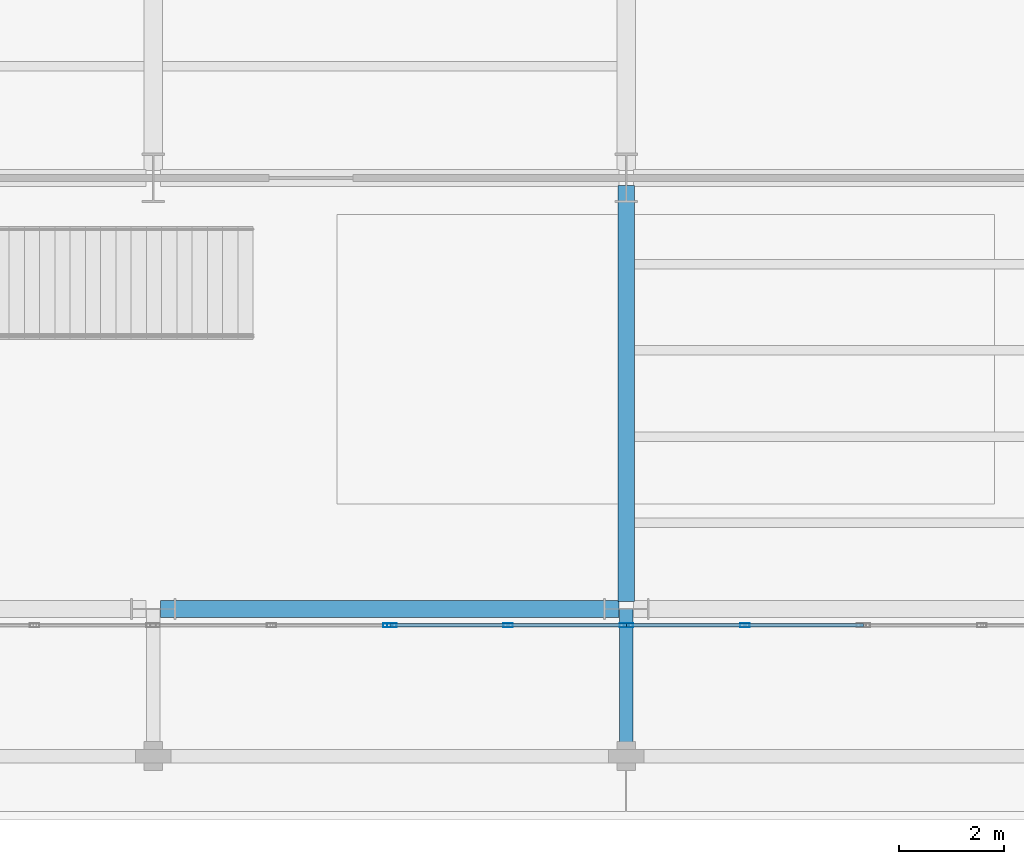
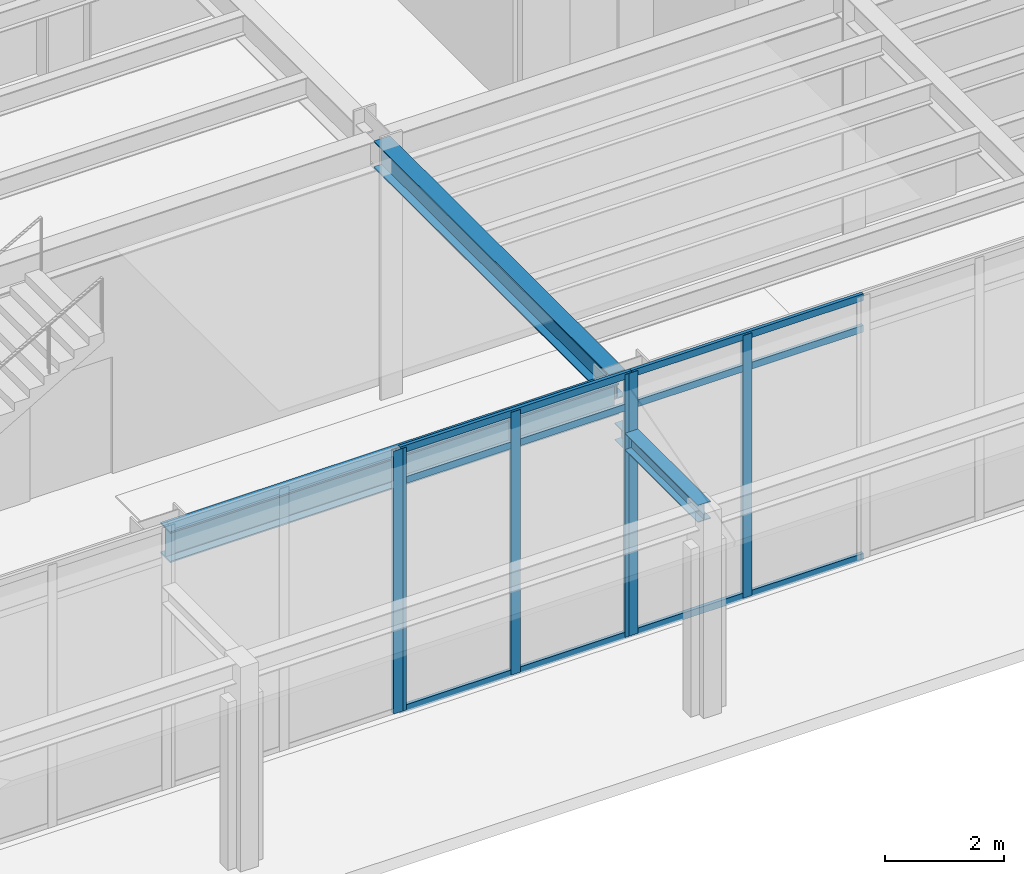
# One storey, part 26 of 94: 12 members, 3 beams, 3 elements without a shape of their own.
"""IFC4 building model written with IfcOpenShell, lengths in metres."""

from ifc_helpers import new_model, si_unit, direction, frame, origin, origin_2d, place, context, subcontext, project, spatial, hollow_rectangle, i_section, extrude, material, layer, layer_set, material_profile, profile_set, type_object, element, aggregate, save


model = new_model("IFC4")

# Units and contexts
model_context = context("Model", 3, precision=1e-05, world=origin(), true_north=direction((0.0, 1.0)))
body_context = subcontext(model_context, "Body", "Model", "MODEL_VIEW")
ifc_project = project(units=[si_unit("LENGTHUNIT", "METRE"), si_unit("AREAUNIT", "SQUARE_METRE"), si_unit("VOLUMEUNIT", "CUBIC_METRE"), si_unit("PLANEANGLEUNIT", "RADIAN"), si_unit("MASSUNIT", "GRAM", prefix="KILO")], contexts=[model_context])

# Site, building, storey
site_placement = place(None, origin())
site = spatial("IfcSite", under=ifc_project, at=site_placement, CompositionType="ELEMENT")
building_placement = place(site_placement, origin())
building = spatial("IfcBuilding", under=site, at=building_placement, Name="Sollismere Congress Hotel", CompositionType="ELEMENT")
storey_placement = place(building_placement, origin())
storey = spatial("IfcBuildingStorey", under=building, at=storey_placement, Name="L00", CompositionType="ELEMENT", Elevation=0.0)

# Beams
ifc_material_1 = material(Name="Steel ASTM A992 Grade 50", Category="steel")
ifc_material_profile_1 = material_profile(ifc_material_1, i_section(OverallWidth=0.31494140625, OverallDepth=0.551025390625, WebThickness=0.01513671875, FlangeThickness=0.0244140625, at=origin_2d()), Name="W21X122")
ifc_profile_set_1 = profile_set([ifc_material_profile_1], Name="Steel ASTM A992 Grade 50")
beam_type_1 = type_object("IfcBeamType", Name="BM-G21H", PredefinedType="BEAM", material=ifc_profile_set_1)
beam_1_placement = place(storey_placement, frame((85.0, 0.139892578125, 4.839599609375), z_axis=(0.0, 1.0, 0.0), x_axis=(-1.0, 0.0, 0.0)))
element("IfcBeam", 1, at=beam_1_placement, inside=storey, type_object=beam_type_1, Name="Beam BM-L00-1263", PredefinedType="BEAM", context=body_context, shape_type="SweptSolid", body=[
    extrude(i_section(OverallWidth=0.31494140625, OverallDepth=0.551025390625, WebThickness=0.01513671875, FlangeThickness=0.0244140625, at=origin_2d()), origin(), (0.0, 0.0, 1.0), 7.920166015625),
])
ifc_material_profile_2 = material_profile(ifc_material_1, i_section(OverallWidth=0.25390625, OverallDepth=0.35595703125, WebThickness=0.010498046875, FlangeThickness=0.018310546875, at=origin_2d()), Name="W14X68")
ifc_profile_set_2 = profile_set([ifc_material_profile_2], Name="Steel ASTM A992 Grade 50")
beam_type_2 = type_object("IfcBeamType", Name="BM-LN14I", PredefinedType="LINTEL", material=ifc_profile_set_2)
beam_2_placement = place(storey_placement, frame((85.0, -2.800048828125, 4.02197265625), z_axis=(0.0, 1.0, 0.0), x_axis=(-1.0, 0.0, 0.0)))
element("IfcBeam", 2, at=beam_2_placement, inside=storey, type_object=beam_type_2, Name="Beam BM-L00-3849", PredefinedType="LINTEL", context=body_context, shape_type="SweptSolid", body=[
    extrude(i_section(OverallWidth=0.25390625, OverallDepth=0.35595703125, WebThickness=0.010498046875, FlangeThickness=0.018310546875, at=origin_2d()), origin(), (0.0, 0.0, 1.0), 2.800048828125),
])
ifc_material_profile_3 = material_profile(ifc_material_1, i_section(OverallWidth=0.330078125, OverallDepth=0.635009765625, WebThickness=0.017822265625, FlangeThickness=0.031005859375, at=origin_2d()), Name="W24X162")
ifc_profile_set_3 = profile_set([ifc_material_profile_3], Name="Steel ASTM A992 Grade 50")
beam_type_3 = type_object("IfcBeamType", Name="BM-SP24E", PredefinedType="SPANDREL", material=ifc_profile_set_3)
beam_3_placement = place(storey_placement, frame((76.139892578125, 0.0, 4.797607421875), z_axis=(1.0, 0.0, 0.0), x_axis=(0.0, 1.0, 0.0)))
element("IfcBeam", 3, at=beam_3_placement, inside=storey, type_object=beam_type_3, Name="Beam BM-L00-1129", PredefinedType="SPANDREL", context=body_context, shape_type="SweptSolid", body=[
    extrude(i_section(OverallWidth=0.330078125, OverallDepth=0.635009765625, WebThickness=0.017822265625, FlangeThickness=0.031005859375, at=origin_2d()), origin(), (0.0, 0.0, 1.0), 8.72021484375),
])

# Curtain wall, member
ifc_material_2 = material(Name="Anodized Bronze Curtain Wall & Low-E Triple Glazing", Category="glass")
ifc_layer = layer(ifc_material_2, 0.199951171875, Name="Anodized Bronze Curtain Wall & Low-E Triple Glazing")
ifc_layer_set = layer_set([ifc_layer], Name="Anodized Bronze Curtain Wall & Low-E Triple Glazing")
curtain_wall_type = type_object("IfcCurtainWallType", Name="CW-GLZ36", PredefinedType="USERDEFINED", material=ifc_layer_set)
curtain_wall_1_placement = place(storey_placement, origin())
curtain_wall_1 = element("IfcCurtainWall", 4, at=curtain_wall_1_placement, inside=storey, type_object=curtain_wall_type, Name="Unitised curtain wall CW-L00-149", ObjectType="UNITISED CURTAIN WALL", PredefinedType="USERDEFINED")
ifc_material_3 = material(Name="Anodized Aluminum 6063-T6", Category="aluminium")
ifc_material_profile_4 = material_profile(ifc_material_3, hollow_rectangle(XDim=0.074951171875, YDim=0.179931640625, WallThickness=0.0048828125, at=origin_2d()), Name="ALU180X75X5")
ifc_profile_set_4 = profile_set([ifc_material_profile_4], Name="Anodized Aluminum 6063-T6")
member_type_1 = type_object("IfcMemberType", Name="ML-CW180", PredefinedType="MULLION", material=ifc_profile_set_4)
member_1_placement = place(storey_placement, frame((80.4619140625, -0.31005859375, 0.0), z_axis=(0.0, 0.0, 1.0), x_axis=(0.0, 1.0, 0.0)))
member_1 = element("IfcMember", 5, at=member_1_placement, type_object=member_type_1, Name="CWL-CW-L00-149-ML03", PredefinedType="MULLION", context=body_context, shape_type="SweptSolid", body=[
    extrude(hollow_rectangle(XDim=0.074951171875, YDim=0.179931640625, WallThickness=0.0048828125, at=origin_2d()), origin(), (0.0, 0.0, 1.0), 5.39990234375),
])
aggregate(curtain_wall_1, [member_1])

# Curtain wall, members
curtain_wall_2_placement = place(storey_placement, origin())
curtain_wall_2 = element("IfcCurtainWall", 6, at=curtain_wall_2_placement, inside=storey, type_object=curtain_wall_type, Name="Unitised curtain wall CW-L00-150", ObjectType="UNITISED CURTAIN WALL", PredefinedType="USERDEFINED")
member_2_placement = place(storey_placement, frame((80.5380859375, -0.31005859375, 0.0), z_axis=(0.0, 0.0, 1.0), x_axis=(0.0, 1.0, 0.0)))
member_2 = element("IfcMember", 7, at=member_2_placement, type_object=member_type_1, Name="CWL-CW-L00-150-ML01", PredefinedType="MULLION", context=body_context, shape_type="SweptSolid", body=[
    extrude(hollow_rectangle(XDim=0.074951171875, YDim=0.179931640625, WallThickness=0.0048828125, at=origin_2d()), origin(), (0.0, 0.0, 1.0), 5.39990234375),
])
member_3_placement = place(storey_placement, frame((82.75, -0.31005859375, 0.0), z_axis=(0.0, 0.0, 1.0), x_axis=(0.0, 1.0, 0.0)))
member_3 = element("IfcMember", 8, at=member_3_placement, type_object=member_type_1, Name="CWL-CW-L00-150-ML02", PredefinedType="MULLION", context=body_context, shape_type="SweptSolid", body=[
    extrude(hollow_rectangle(XDim=0.074951171875, YDim=0.179931640625, WallThickness=0.0048828125, at=origin_2d()), origin(), (0.0, 0.0, 1.0), 5.39990234375),
])
member_4_placement = place(storey_placement, frame((84.9619140625, -0.31005859375, 0.0), z_axis=(0.0, 0.0, 1.0), x_axis=(0.0, 1.0, 0.0)))
member_4 = element("IfcMember", 9, at=member_4_placement, type_object=member_type_1, Name="CWL-CW-L00-150-ML03", PredefinedType="MULLION", context=body_context, shape_type="SweptSolid", body=[
    extrude(hollow_rectangle(XDim=0.074951171875, YDim=0.179931640625, WallThickness=0.0048828125, at=origin_2d()), origin(), (0.0, 0.0, 1.0), 5.39990234375),
])

curtain_wall_3_placement = place(storey_placement, origin())
curtain_wall_3 = element("IfcCurtainWall", 10, at=curtain_wall_3_placement, inside=storey, type_object=curtain_wall_type, Name="Unitised curtain wall CW-L00-151", ObjectType="UNITISED CURTAIN WALL", PredefinedType="USERDEFINED")
member_5_placement = place(storey_placement, frame((85.0380859375, -0.31005859375, 0.0), z_axis=(0.0, 0.0, 1.0), x_axis=(0.0, 1.0, 0.0)))
member_5 = element("IfcMember", 11, at=member_5_placement, type_object=member_type_1, Name="CWL-CW-L00-151-ML01", PredefinedType="MULLION", context=body_context, shape_type="SweptSolid", body=[
    extrude(hollow_rectangle(XDim=0.074951171875, YDim=0.179931640625, WallThickness=0.0048828125, at=origin_2d()), origin(), (0.0, 0.0, 1.0), 5.39990234375),
])
member_6_placement = place(storey_placement, frame((87.2548828125, -0.31005859375, 0.0), z_axis=(0.0, 0.0, 1.0), x_axis=(0.0, 1.0, 0.0)))
member_6 = element("IfcMember", 12, at=member_6_placement, type_object=member_type_1, Name="CWL-CW-L00-151-ML02", PredefinedType="MULLION", context=body_context, shape_type="SweptSolid", body=[
    extrude(hollow_rectangle(XDim=0.074951171875, YDim=0.179931640625, WallThickness=0.0048828125, at=origin_2d()), origin(), (0.0, 0.0, 1.0), 5.39990234375),
])

# Member
ifc_material_profile_5 = material_profile(ifc_material_3, hollow_rectangle(XDim=0.06494140625, YDim=0.139892578125, WallThickness=0.00390625, at=origin_2d()), Name="ALU140X65X4")
ifc_profile_set_5 = profile_set([ifc_material_profile_5], Name="Anodized Aluminum 6063-T6")
member_type_2 = type_object("IfcMemberType", Name="TR-CW150", PredefinedType="MEMBER", material=ifc_profile_set_5)
member_7_placement = place(storey_placement, frame((80.5, -0.31005859375, 0.032470703125), z_axis=(1.0, 0.0, 0.0), x_axis=(0.0, 1.0, 0.0)))
member_7 = element("IfcMember", 13, at=member_7_placement, type_object=member_type_2, Name="CWL-CW-L00-150-TR1", PredefinedType="MEMBER", context=body_context, shape_type="SweptSolid", body=[
    extrude(hollow_rectangle(XDim=0.06494140625, YDim=0.139892578125, WallThickness=0.00390625, at=origin_2d()), origin(), (0.0, 0.0, 1.0), 4.5),
])

member_8_placement = place(storey_placement, frame((80.5, -0.31005859375, 4.719970703125), z_axis=(1.0, 0.0, 0.0), x_axis=(0.0, 1.0, 0.0)))
member_8 = element("IfcMember", 14, at=member_8_placement, type_object=member_type_2, Name="CWL-CW-L00-150-TR2", PredefinedType="MEMBER", context=body_context, shape_type="SweptSolid", body=[
    extrude(hollow_rectangle(XDim=0.06494140625, YDim=0.139892578125, WallThickness=0.00390625, at=origin_2d()), origin(), (0.0, 0.0, 1.0), 4.5),
])

member_9_placement = place(storey_placement, frame((80.5, -0.31005859375, 5.367431640625), z_axis=(1.0, 0.0, 0.0), x_axis=(0.0, 1.0, 0.0)))
member_9 = element("IfcMember", 15, at=member_9_placement, type_object=member_type_2, Name="CWL-CW-L00-150-TR3", PredefinedType="MEMBER", context=body_context, shape_type="SweptSolid", body=[
    extrude(hollow_rectangle(XDim=0.06494140625, YDim=0.139892578125, WallThickness=0.00390625, at=origin_2d()), origin(), (0.0, 0.0, 1.0), 4.5),
])

aggregate(curtain_wall_2, [member_2, member_3, member_4, member_7, member_8, member_9])

member_10_placement = place(storey_placement, frame((85.0, -0.31005859375, 0.032470703125), z_axis=(1.0, 0.0, 0.0), x_axis=(0.0, 1.0, 0.0)))
member_10 = element("IfcMember", 16, at=member_10_placement, type_object=member_type_2, Name="CWL-CW-L00-151-TR1", PredefinedType="MEMBER", context=body_context, shape_type="SweptSolid", body=[
    extrude(hollow_rectangle(XDim=0.06494140625, YDim=0.139892578125, WallThickness=0.00390625, at=origin_2d()), origin(), (0.0, 0.0, 1.0), 4.510009765625),
])

member_11_placement = place(storey_placement, frame((85.0, -0.31005859375, 4.719970703125), z_axis=(1.0, 0.0, 0.0), x_axis=(0.0, 1.0, 0.0)))
member_11 = element("IfcMember", 17, at=member_11_placement, type_object=member_type_2, Name="CWL-CW-L00-151-TR2", PredefinedType="MEMBER", context=body_context, shape_type="SweptSolid", body=[
    extrude(hollow_rectangle(XDim=0.06494140625, YDim=0.139892578125, WallThickness=0.00390625, at=origin_2d()), origin(), (0.0, 0.0, 1.0), 4.510009765625),
])

member_12_placement = place(storey_placement, frame((85.0, -0.31005859375, 5.367431640625), z_axis=(1.0, 0.0, 0.0), x_axis=(0.0, 1.0, 0.0)))
member_12 = element("IfcMember", 18, at=member_12_placement, type_object=member_type_2, Name="CWL-CW-L00-151-TR3", PredefinedType="MEMBER", context=body_context, shape_type="SweptSolid", body=[
    extrude(hollow_rectangle(XDim=0.06494140625, YDim=0.139892578125, WallThickness=0.00390625, at=origin_2d()), origin(), (0.0, 0.0, 1.0), 4.510009765625),
])

aggregate(curtain_wall_3, [member_5, member_6, member_10, member_11, member_12])

save(model, "model.ifc")
